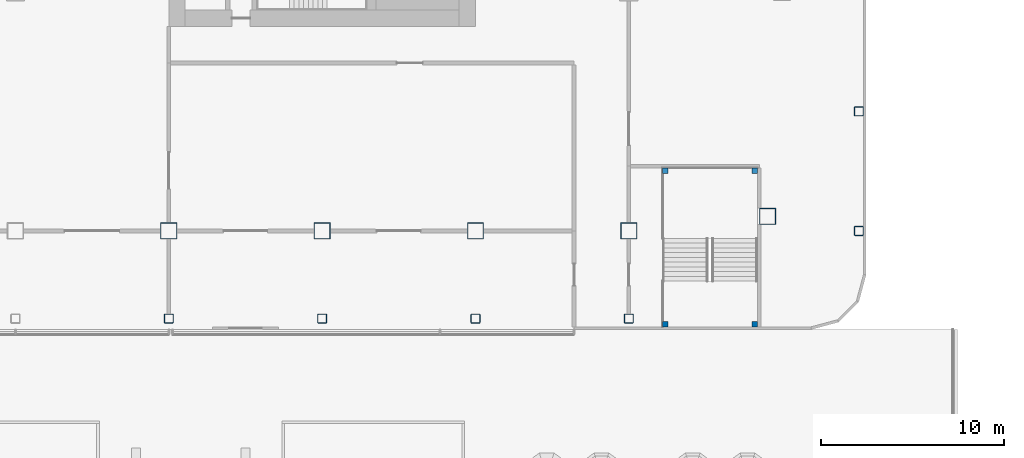
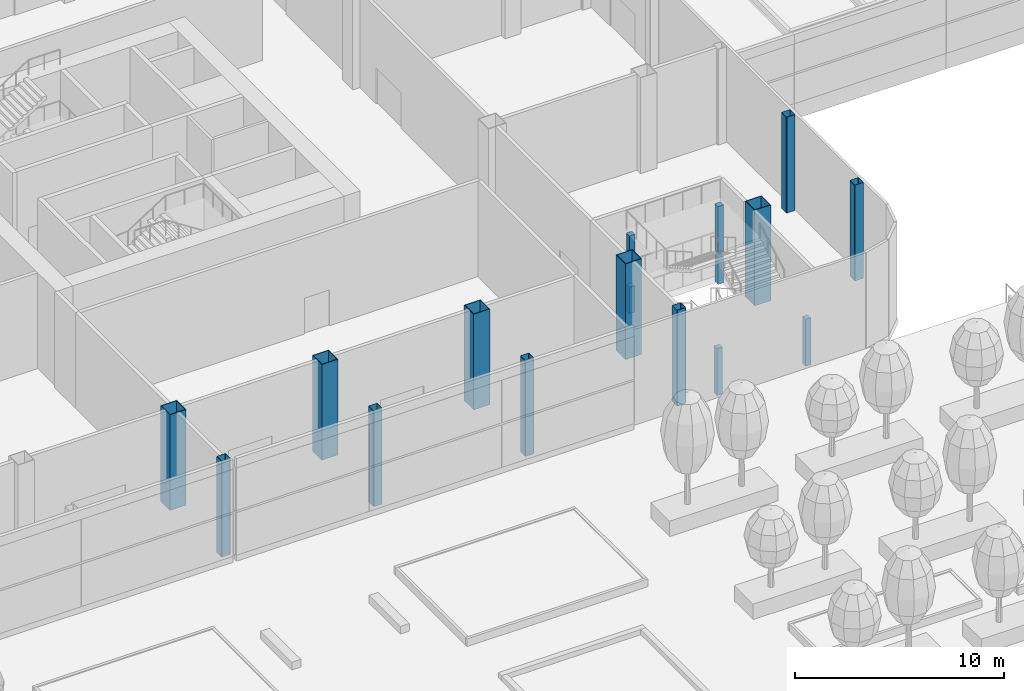
# One storey, part 2 of 100: 17 columns.
"""IFC4 building model written with IfcOpenShell, lengths in metres."""

from ifc_helpers import new_model, si_unit, direction, frame, origin, origin_2d, place, context, subcontext, project, spatial, rectangle, hollow_rectangle, extrude, material, material_profile, profile_set, type_object, element, save


model = new_model("IFC4")

# Units and contexts
model_context = context("Model", 3, precision=1e-05, world=origin(), true_north=direction((0.0, 1.0)))
body_context = subcontext(model_context, "Body", "Model", "MODEL_VIEW")
ifc_project = project(units=[si_unit("LENGTHUNIT", "METRE"), si_unit("AREAUNIT", "SQUARE_METRE"), si_unit("VOLUMEUNIT", "CUBIC_METRE"), si_unit("PLANEANGLEUNIT", "RADIAN"), si_unit("MASSUNIT", "GRAM", prefix="KILO")], contexts=[model_context])

# Site, building, storey
site_placement = place(None, origin())
site = spatial("IfcSite", under=ifc_project, at=site_placement, CompositionType="ELEMENT")
building_placement = place(site_placement, origin())
building = spatial("IfcBuilding", under=site, at=building_placement, Name="Hakoniwa Tower and Hamabe Station Hall", CompositionType="ELEMENT")
storey_placement = place(building_placement, frame((0.0, 0.0, 9.0)))
storey = spatial("IfcBuildingStorey", under=building, at=storey_placement, Name="L02", CompositionType="ELEMENT", Elevation=9.0)

# Columns
ifc_material_1 = material(Name="Steel BCR295", Category="steel")
ifc_material_profile_1 = material_profile(ifc_material_1, hollow_rectangle(XDim=0.5, YDim=0.5, WallThickness=0.01904296875, InnerFilletRadius=0.028564453125, OuterFilletRadius=0.047607421875, at=origin_2d()), Name="BCR-500x500x19")
ifc_profile_set_1 = profile_set([ifc_material_profile_1], Name="Steel BCR295")
column_type_1 = type_object("IfcColumnType", Name="COLUMN BCR-500x500x19", PredefinedType="COLUMN", material=ifc_profile_set_1)
for number, where, z_axis, x_axis, name in (
    (1, (16.800048828125, -24.39990234375, 0.0), (0.0, 0.0, 1.0), (1.0, 0.0, 0.0), "Column P-9-RS"),
    (2, (25.199951171875, -24.39990234375, 0.0), (0.0, 0.0, 1.0), (1.0, 0.0, 0.0), "Column P-10-RS"),
    (3, (33.60009765625, -24.39990234375, 0.0), (0.0, 0.0, 1.0), (1.0, 0.0, 0.0), "Column P-11-RS"),
    (4, (42.0, -24.39990234375, 0.0), (0.0, 0.0, 1.0), (1.0, 0.0, 0.0), "Column P-12-RS"),
    (5, (54.60009765625, -19.60009765625, 0.0), (0.0, 0.0, 1.0), (1.0, 0.0, 0.0), "Column P-RE-A1"),
    (6, (54.60009765625, -13.050048828125, 0.0), (0.0, 0.0, 1.0), (1.0, 0.0, 0.0), "Column P-RE-B1"),
):
    element("IfcColumn", number, at=place(storey_placement, frame(where, z_axis=z_axis, x_axis=x_axis)), inside=storey, type_object=column_type_1, Name=name, PredefinedType="COLUMN", context=body_context, shape_type="SweptSolid", body=[
        extrude(hollow_rectangle(XDim=0.5, YDim=0.5, WallThickness=0.01904296875, InnerFilletRadius=0.028564453125, OuterFilletRadius=0.047607421875, at=origin_2d()), origin(), (0.0, 0.0, 1.0), 5.60009765625),
    ])
ifc_material_2 = material(Name="Steel SN490C", Category="steel")
ifc_material_profile_2 = material_profile(ifc_material_2, hollow_rectangle(XDim=0.89990234375, YDim=0.89990234375, WallThickness=0.035888671875, at=origin_2d()), Name="BX-900x900x36")
ifc_profile_set_2 = profile_set([ifc_material_profile_2], Name="Steel SN490C")
column_type_2 = type_object("IfcColumnType", Name="COLUMN BX-900x900x36", PredefinedType="COLUMN", material=ifc_profile_set_2)
for number, where, z_axis, x_axis, name in (
    (7, (16.800048828125, -19.60009765625, 0.0), (0.0, 0.0, 1.0), (1.0, 0.0, 0.0), "Column P-9-A1"),
    (8, (25.199951171875, -19.60009765625, 0.0), (0.0, 0.0, 1.0), (1.0, 0.0, 0.0), "Column P-10-A1"),
    (9, (33.60009765625, -19.60009765625, 0.0), (0.0, 0.0, 1.0), (1.0, 0.0, 0.0), "Column P-11-A1"),
    (10, (42.0, -19.60009765625, 0.0), (0.0, 0.0, 1.0), (1.0, 0.0, 0.0), "Column P-12-A1"),
    (11, (49.60302734375, -18.802978515625, 0.0), (0.0, 0.0, 1.0), (1.0, 0.0, 0.0), "Column P-13-A1"),
):
    element("IfcColumn", number, at=place(storey_placement, frame(where, z_axis=z_axis, x_axis=x_axis)), inside=storey, type_object=column_type_2, Name=name, PredefinedType="COLUMN", context=body_context, shape_type="SweptSolid", body=[
        extrude(hollow_rectangle(XDim=0.89990234375, YDim=0.89990234375, WallThickness=0.035888671875, at=origin_2d()), origin(), (0.0, 0.0, 1.0), 5.60009765625),
    ])
ifc_material_3 = material(Name="Concrete C40", Category="concrete")
ifc_material_profile_3 = material_profile(ifc_material_3, rectangle(XDim=0.300048828125, YDim=0.300048828125, at=origin_2d()), Name="STAIR LANDING POST 300X300")
ifc_profile_set_3 = profile_set([ifc_material_profile_3], Name="Concrete C40")
column_type_3 = type_object("IfcColumnType", Name="STAIR LANDING POST 300X300", PredefinedType="COLUMN", material=ifc_profile_set_3)
for number, where, z_axis, x_axis, name in (
    (12, (48.89990234375, -16.300048828125, -0.300048828125), (0.0, 0.0, 1.0), (1.0, 0.0, 0.0), "Landing post PS3 2a first floor"),
    (13, (44.0, -16.300048828125, -0.300048828125), (0.0, 0.0, 1.0), (1.0, 0.0, 0.0), "Landing post PS3 2b first floor"),
):
    element("IfcColumn", number, at=place(storey_placement, frame(where, z_axis=z_axis, x_axis=x_axis)), inside=storey, type_object=column_type_3, Name=name, PredefinedType="COLUMN", context=body_context, shape_type="SweptSolid", body=[
        extrude(rectangle(XDim=0.300048828125, YDim=0.300048828125, at=origin_2d()), origin(), (0.0, 0.0, 1.0), 1.550048828125),
    ])
for number, where, z_axis, x_axis, name in (
    (14, (48.89990234375, -24.699951171875, 0.0), (0.0, 0.0, 1.0), (1.0, 0.0, 0.0), "Landing post PS3 1a"),
    (15, (44.0, -24.699951171875, 0.0), (0.0, 0.0, 1.0), (1.0, 0.0, 0.0), "Landing post PS3 1b"),
    (16, (48.89990234375, -16.300048828125, 1.5), (0.0, 0.0, 1.0), (1.0, 0.0, 0.0), "Landing post PS3 2a"),
    (17, (44.0, -16.300048828125, 1.5), (0.0, 0.0, 1.0), (1.0, 0.0, 0.0), "Landing post PS3 2b"),
):
    element("IfcColumn", number, at=place(storey_placement, frame(where, z_axis=z_axis, x_axis=x_axis)), inside=storey, type_object=column_type_3, Name=name, PredefinedType="COLUMN", context=body_context, shape_type="SweptSolid", body=[
        extrude(rectangle(XDim=0.300048828125, YDim=0.300048828125, at=origin_2d()), origin(), (0.0, 0.0, 1.0), 2.75),
    ])

save(model, "model.ifc")
